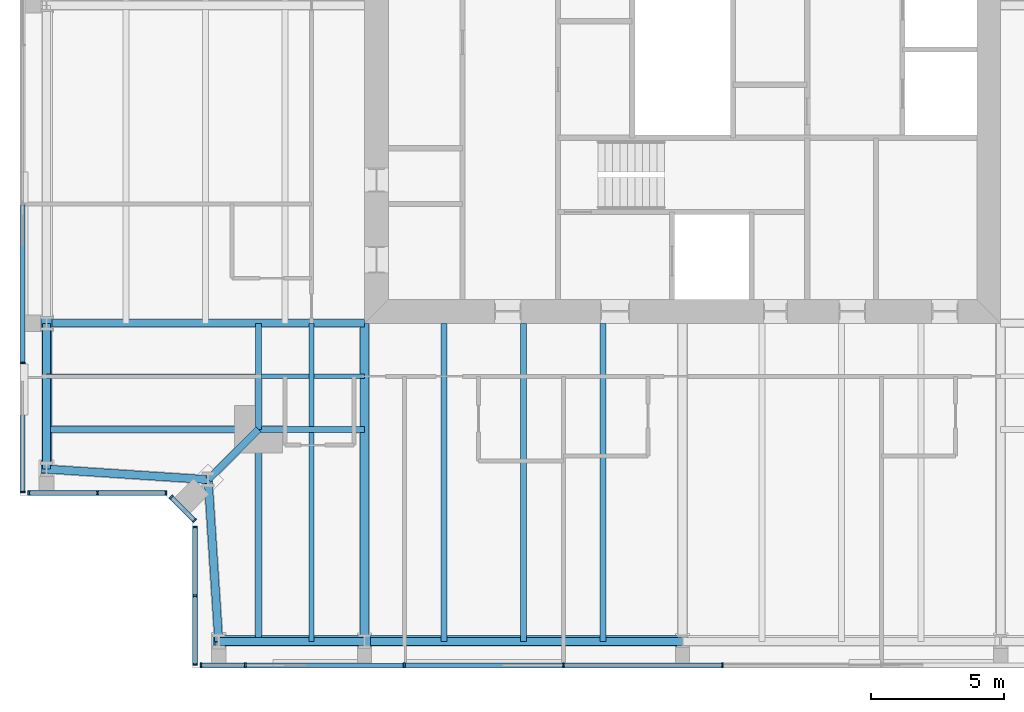
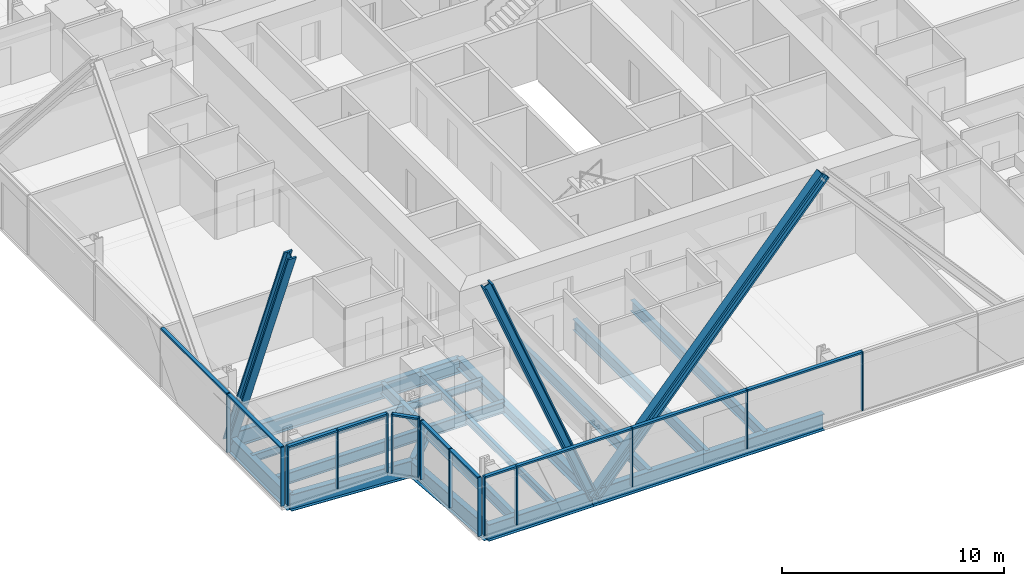
# One storey, part 2 of 18: 29 members, 20 beams, 5 elements without a shape of their own.
"""IFC4 building model written with IfcOpenShell, lengths in metres."""

from ifc_helpers import new_model, si_unit, direction, frame, origin, origin_2d, place, context, subcontext, project, spatial, rectangle, i_section, extrude, material, material_profile, profile_set, type_object, element, aggregate, save


model = new_model("IFC4")

# Units and contexts
model_context = context("Model", 3, precision=1e-05, world=origin(), true_north=direction((0.0, 1.0)))
body_context = subcontext(model_context, "Body", "Model", "MODEL_VIEW")
ifc_project = project(units=[si_unit("LENGTHUNIT", "METRE"), si_unit("AREAUNIT", "SQUARE_METRE"), si_unit("VOLUMEUNIT", "CUBIC_METRE"), si_unit("PLANEANGLEUNIT", "RADIAN"), si_unit("MASSUNIT", "GRAM", prefix="KILO")], contexts=[model_context])

# Site, building, storey
site_placement = place(None, origin())
site = spatial("IfcSite", under=ifc_project, at=site_placement, CompositionType="ELEMENT")
building_placement = place(site_placement, origin())
building = spatial("IfcBuilding", under=site, at=building_placement, Name="Fenwick Lantern Interchange", CompositionType="ELEMENT")
storey_placement = place(building_placement, frame((0.0, 0.0, 269.60009765625)))
storey = spatial("IfcBuildingStorey", under=building, at=storey_placement, Name="L64", CompositionType="ELEMENT", Elevation=269.60009765625)

# Beams
ifc_material_1 = material(Name="Steel ASTM A992 Grade 50", Category="steel")
ifc_material_profile_1 = material_profile(ifc_material_1, i_section(OverallWidth=0.3046875, OverallDepth=0.911865234375, WebThickness=0.015869140625, FlangeThickness=0.02392578125, at=origin_2d()), Name="W36X150")
ifc_profile_set_1 = profile_set([ifc_material_profile_1], Name="Steel ASTM A992 Grade 50")
beam_type_1 = type_object("IfcBeamType", Name="EDGE BEAM W36X150", PredefinedType="SPANDREL", material=ifc_profile_set_1)
beam_1_placement = place(storey_placement, frame((7.5, 1.0, -0.60595703125), z_axis=(1.0, 0.0, 0.0), x_axis=(0.0, 1.0, 0.0)))
element("IfcBeam", 1, at=beam_1_placement, inside=storey, type_object=beam_type_1, Name="L64/FR/S/EB1", PredefinedType="SPANDREL", context=body_context, shape_type="SweptSolid", body=[
    extrude(i_section(OverallWidth=0.3046875, OverallDepth=0.911865234375, WebThickness=0.015869140625, FlangeThickness=0.02392578125, at=origin_2d()), origin(), (0.0, 0.0, 1.0), 5.5),
])
beam_2_placement = place(storey_placement, frame((13.0, 1.0, -0.60595703125), z_axis=(1.0, 0.0, 0.0), x_axis=(0.0, 1.0, 0.0)))
element("IfcBeam", 2, at=beam_2_placement, inside=storey, type_object=beam_type_1, Name="L64/FR/S/EB2", PredefinedType="SPANDREL", context=body_context, shape_type="SweptSolid", body=[
    extrude(i_section(OverallWidth=0.3046875, OverallDepth=0.911865234375, WebThickness=0.015869140625, FlangeThickness=0.02392578125, at=origin_2d()), origin(), (0.0, 0.0, 1.0), 12.0),
])
beam_3_placement = place(storey_placement, frame((1.0, 13.0, -0.60595703125), z_axis=(0.0, -1.0, 0.0), x_axis=(1.0, 0.0, 0.0)))
element("IfcBeam", 3, at=beam_3_placement, inside=storey, type_object=beam_type_1, Name="L64/FR/W/EB4", PredefinedType="SPANDREL", context=body_context, shape_type="SweptSolid", body=[
    extrude(i_section(OverallWidth=0.3046875, OverallDepth=0.911865234375, WebThickness=0.015869140625, FlangeThickness=0.02392578125, at=origin_2d()), origin(), (0.0, 0.0, 1.0), 5.5),
])
for number, where, z_axis, x_axis, name in (
    (4, (1.0, 7.5, -0.60595703125), (0.997858060337, -0.065416293237, 0.0), (0.065416293237, 0.997858060337, 0.0), "L64/FR/W/EBR1"),
    (5, (7.10009765625, 7.10009765625, -0.60595703125), (0.065416293237, -0.997858060337, 0.0), (0.997858060337, 0.065416293237, 0.0), "L64/FR/W/EBR2"),
):
    element("IfcBeam", number, at=place(storey_placement, frame(where, z_axis=z_axis, x_axis=x_axis)), inside=storey, type_object=beam_type_1, Name=name, PredefinedType="SPANDREL", context=body_context, shape_type="SweptSolid", body=[
        extrude(i_section(OverallWidth=0.3046875, OverallDepth=0.911865234375, WebThickness=0.015869140625, FlangeThickness=0.02392578125, at=origin_2d()), origin(), (0.0, 0.0, 1.0), 6.11328125),
    ])

# Members
ifc_material_profile_2 = material_profile(ifc_material_1, i_section(OverallWidth=0.424072265625, OverallDepth=0.47509765625, WebThickness=0.0478515625, FlangeThickness=0.0771484375, at=origin_2d()), Name="W14X426")
ifc_profile_set_2 = profile_set([ifc_material_profile_2], Name="Steel ASTM A992 Grade 50")
member_type_1 = type_object("IfcMemberType", Name="FACADE BRACE W14X426", PredefinedType="BRACE", material=ifc_profile_set_2)
for number, where, z_axis, x_axis, name in (
    (6, (13.0, 1.0, -0.60595703125), (-0.37491730453, 0.0, 0.92705825856), (0.0, -1.0, 0.0), "L64/FB/S/AE"),
    (7, (1.0, 13.0, -0.60595703125), (0.0, -0.37491730453, 0.92705825856), (1.0, 0.0, 0.0), "L64/FB/W/BE"),
):
    element("IfcMember", number, at=place(storey_placement, frame(where, z_axis=z_axis, x_axis=x_axis)), inside=storey, type_object=member_type_1, Name=name, PredefinedType="BRACE", context=body_context, shape_type="SweptSolid", body=[
        extrude(i_section(OverallWidth=0.424072265625, OverallDepth=0.47509765625, WebThickness=0.0478515625, FlangeThickness=0.0771484375, at=origin_2d()), origin(), (0.0, 0.0, 1.0), 14.669921875),
    ])
ifc_material_profile_3 = material_profile(ifc_material_1, i_section(OverallWidth=0.44189453125, OverallDepth=0.53076171875, WebThickness=0.06591796875, FlangeThickness=0.105712890625, at=origin_2d()), Name="W14X605")
ifc_profile_set_3 = profile_set([ifc_material_profile_3], Name="Steel ASTM A992 Grade 50")
member_type_2 = type_object("IfcMemberType", Name="FACADE BRACE W14X605", PredefinedType="BRACE", material=ifc_profile_set_3)
member_1_placement = place(storey_placement, frame((13.0, 1.0, -0.60595703125), z_axis=(0.661625643894, 0.0, 0.749834319928), x_axis=(0.0, 1.0, 0.0)))
element("IfcMember", 8, at=member_1_placement, inside=storey, type_object=member_type_2, Name="L64/FB/S/A", PredefinedType="BRACE", context=body_context, shape_type="SweptSolid", body=[
    extrude(i_section(OverallWidth=0.44189453125, OverallDepth=0.53076171875, WebThickness=0.06591796875, FlangeThickness=0.105712890625, at=origin_2d()), origin(), (0.0, 0.0, 1.0), 18.13720703125),
])

# Beams
ifc_material_profile_4 = material_profile(ifc_material_1, i_section(OverallWidth=0.22900390625, OverallDepth=0.612060546875, WebThickness=0.011962890625, FlangeThickness=0.01953125, at=origin_2d()), Name="W24X84")
ifc_profile_set_4 = profile_set([ifc_material_profile_4], Name="Steel ASTM A992 Grade 50")
beam_type_2 = type_object("IfcBeamType", Name="FLOOR BEAM W24X84", PredefinedType="BEAM", material=ifc_profile_set_4)
for number, where, z_axis, x_axis, name in (
    (9, (16.0, 1.0, -0.4560546875), (0.0, 1.0, 0.0), (-1.0, 0.0, 0.0), "L64/FR/S/R02"),
    (10, (19.0, 1.0, -0.4560546875), (0.0, 1.0, 0.0), (-1.0, 0.0, 0.0), "L64/FR/S/R03"),
    (11, (22.0, 1.0, -0.4560546875), (0.0, 1.0, 0.0), (-1.0, 0.0, 0.0), "L64/FR/S/R04"),
):
    element("IfcBeam", number, at=place(storey_placement, frame(where, z_axis=z_axis, x_axis=x_axis)), inside=storey, type_object=beam_type_2, Name=name, PredefinedType="BEAM", context=body_context, shape_type="SweptSolid", body=[
        extrude(i_section(OverallWidth=0.22900390625, OverallDepth=0.612060546875, WebThickness=0.011962890625, FlangeThickness=0.01953125, at=origin_2d()), origin(), (0.0, 0.0, 1.0), 12.0),
    ])

# Curtain wall, members
ifc_material_2 = material(Name="Aluminium curtain wall frame", Category="aluminium")
curtain_wall_type = type_object("IfcCurtainWallType", Name="HOTEL CURTAIN WALL", PredefinedType="USERDEFINED", material=ifc_material_2)
curtain_wall_1_placement = place(storey_placement, origin())
curtain_wall_1 = element("IfcCurtainWall", 12, at=curtain_wall_1_placement, inside=storey, type_object=curtain_wall_type, Name="Hotel curtain wall 01", ObjectType="HOTEL CURTAIN WALL", PredefinedType="USERDEFINED")
ifc_material_3 = material(Name="Aluminium extrusion", Category="aluminium")
ifc_material_profile_5 = material_profile(ifc_material_3, rectangle(XDim=0.179931640625, YDim=0.06005859375, at=origin_2d()), Name="HOTEL CURTAIN WALL MULLION 60 X 180")
ifc_profile_set_5 = profile_set([ifc_material_profile_5], Name="Aluminium extrusion")
member_type_3 = type_object("IfcMemberType", Name="HOTEL CURTAIN WALL MULLION 60 X 180", PredefinedType="MULLION", material=ifc_profile_set_5)
member_2_placement = place(storey_placement, frame((6.830078125, 0.10009765625, 0.0), z_axis=(0.0, 0.0, 1.0), x_axis=(0.0, 1.0, 0.0)))
member_2 = element("IfcMember", 13, at=member_2_placement, type_object=member_type_3, Name="L64/CW/01/M00", PredefinedType="MULLION", context=body_context, shape_type="SweptSolid", body=[
    extrude(rectangle(XDim=0.179931640625, YDim=0.06005859375, at=origin_2d()), origin(), (0.0, 0.0, 1.0), 3.25),
])
member_3_placement = place(storey_placement, frame((8.5, 0.10009765625, 0.0), z_axis=(0.0, 0.0, 1.0), x_axis=(0.0, 1.0, 0.0)))
member_3 = element("IfcMember", 14, at=member_3_placement, type_object=member_type_3, Name="L64/CW/01/M01", PredefinedType="MULLION", context=body_context, shape_type="SweptSolid", body=[
    extrude(rectangle(XDim=0.179931640625, YDim=0.06005859375, at=origin_2d()), origin(), (0.0, 0.0, 1.0), 3.25),
])
member_4_placement = place(storey_placement, frame((14.5, 0.10009765625, 0.0), z_axis=(0.0, 0.0, 1.0), x_axis=(0.0, 1.0, 0.0)))
member_4 = element("IfcMember", 15, at=member_4_placement, type_object=member_type_3, Name="L64/CW/01/M02", PredefinedType="MULLION", context=body_context, shape_type="SweptSolid", body=[
    extrude(rectangle(XDim=0.179931640625, YDim=0.06005859375, at=origin_2d()), origin(), (0.0, 0.0, 1.0), 3.25),
])
member_5_placement = place(storey_placement, frame((20.5, 0.10009765625, 0.0), z_axis=(0.0, 0.0, 1.0), x_axis=(0.0, 1.0, 0.0)))
member_5 = element("IfcMember", 16, at=member_5_placement, type_object=member_type_3, Name="L64/CW/01/M03", PredefinedType="MULLION", context=body_context, shape_type="SweptSolid", body=[
    extrude(rectangle(XDim=0.179931640625, YDim=0.06005859375, at=origin_2d()), origin(), (0.0, 0.0, 1.0), 3.25),
])
member_6_placement = place(storey_placement, frame((26.5, 0.10009765625, 0.0), z_axis=(0.0, 0.0, 1.0), x_axis=(0.0, 1.0, 0.0)))
member_6 = element("IfcMember", 17, at=member_6_placement, type_object=member_type_3, Name="L64/CW/01/M04", PredefinedType="MULLION", context=body_context, shape_type="SweptSolid", body=[
    extrude(rectangle(XDim=0.179931640625, YDim=0.06005859375, at=origin_2d()), origin(), (0.0, 0.0, 1.0), 3.25),
])

curtain_wall_2_placement = place(storey_placement, origin())
curtain_wall_2 = element("IfcCurtainWall", 18, at=curtain_wall_2_placement, inside=storey, type_object=curtain_wall_type, Name="Hotel curtain wall 13", ObjectType="HOTEL CURTAIN WALL", PredefinedType="USERDEFINED")
member_7_placement = place(storey_placement, frame((0.10009765625, 11.5, 0.0), z_axis=(0.0, 0.0, 1.0), x_axis=(1.0, 0.0, 0.0)))
member_7 = element("IfcMember", 19, at=member_7_placement, type_object=member_type_3, Name="L64/CW/13/M06", PredefinedType="MULLION", context=body_context, shape_type="SweptSolid", body=[
    extrude(rectangle(XDim=0.179931640625, YDim=0.06005859375, at=origin_2d()), origin(), (0.0, 0.0, 1.0), 3.25),
])
member_8_placement = place(storey_placement, frame((0.10009765625, 6.6298828125, 0.0), z_axis=(0.0, 0.0, 1.0), x_axis=(1.0, 0.0, 0.0)))
member_8 = element("IfcMember", 20, at=member_8_placement, type_object=member_type_3, Name="L64/CW/13/M07", PredefinedType="MULLION", context=body_context, shape_type="SweptSolid", body=[
    extrude(rectangle(XDim=0.179931640625, YDim=0.06005859375, at=origin_2d()), origin(), (0.0, 0.0, 1.0), 3.25),
])

curtain_wall_3_placement = place(storey_placement, origin())
curtain_wall_3 = element("IfcCurtainWall", 21, at=curtain_wall_3_placement, inside=storey, type_object=curtain_wall_type, Name="Hotel curtain wall 14", ObjectType="HOTEL CURTAIN WALL", PredefinedType="USERDEFINED")
member_9_placement = place(storey_placement, frame((0.330078125, 6.60009765625, 0.0), z_axis=(0.0, 0.0, 1.0), x_axis=(0.0, 1.0, 0.0)))
member_9 = element("IfcMember", 22, at=member_9_placement, type_object=member_type_3, Name="L64/CW/14/M00", PredefinedType="MULLION", context=body_context, shape_type="SweptSolid", body=[
    extrude(rectangle(XDim=0.179931640625, YDim=0.06005859375, at=origin_2d()), origin(), (0.0, 0.0, 1.0), 3.25),
])
member_10_placement = place(storey_placement, frame((2.920654296875, 6.60009765625, 0.0), z_axis=(0.0, 0.0, 1.0), x_axis=(0.0, 1.0, 0.0)))
member_10 = element("IfcMember", 23, at=member_10_placement, type_object=member_type_3, Name="L64/CW/14/M01", PredefinedType="MULLION", context=body_context, shape_type="SweptSolid", body=[
    extrude(rectangle(XDim=0.179931640625, YDim=0.06005859375, at=origin_2d()), origin(), (0.0, 0.0, 1.0), 3.25),
])
member_11_placement = place(storey_placement, frame((5.511474609375, 6.60009765625, 0.0), z_axis=(0.0, 0.0, 1.0), x_axis=(0.0, 1.0, 0.0)))
member_11 = element("IfcMember", 24, at=member_11_placement, type_object=member_type_3, Name="L64/CW/14/M02", PredefinedType="MULLION", context=body_context, shape_type="SweptSolid", body=[
    extrude(rectangle(XDim=0.179931640625, YDim=0.06005859375, at=origin_2d()), origin(), (0.0, 0.0, 1.0), 3.25),
])

curtain_wall_4_placement = place(storey_placement, origin())
curtain_wall_4 = element("IfcCurtainWall", 25, at=curtain_wall_4_placement, inside=storey, type_object=curtain_wall_type, Name="Hotel curtain wall 15", ObjectType="HOTEL CURTAIN WALL", PredefinedType="USERDEFINED")
member_12_placement = place(storey_placement, frame((5.7041015625, 6.437255859375, 0.0), z_axis=(0.0, 0.0, 1.0), x_axis=(0.707106781187, 0.707106781187, 0.0)))
member_12 = element("IfcMember", 26, at=member_12_placement, type_object=member_type_3, Name="L64/CW/15/M00", PredefinedType="MULLION", context=body_context, shape_type="SweptSolid", body=[
    extrude(rectangle(XDim=0.179931640625, YDim=0.06005859375, at=origin_2d()), origin(), (0.0, 0.0, 1.0), 3.25),
])
member_13_placement = place(storey_placement, frame((6.578857421875, 5.562744140625, 0.0), z_axis=(0.0, 0.0, 1.0), x_axis=(0.707106781187, 0.707106781187, 0.0)))
member_13 = element("IfcMember", 27, at=member_13_placement, type_object=member_type_3, Name="L64/CW/15/M01", PredefinedType="MULLION", context=body_context, shape_type="SweptSolid", body=[
    extrude(rectangle(XDim=0.179931640625, YDim=0.06005859375, at=origin_2d()), origin(), (0.0, 0.0, 1.0), 3.25),
])

curtain_wall_5_placement = place(storey_placement, origin())
curtain_wall_5 = element("IfcCurtainWall", 28, at=curtain_wall_5_placement, inside=storey, type_object=curtain_wall_type, Name="Hotel curtain wall 16", ObjectType="HOTEL CURTAIN WALL", PredefinedType="USERDEFINED")
member_14_placement = place(storey_placement, frame((6.60009765625, 5.3115234375, 0.0), z_axis=(0.0, 0.0, 1.0), x_axis=(1.0, 0.0, 0.0)))
member_14 = element("IfcMember", 29, at=member_14_placement, type_object=member_type_3, Name="L64/CW/16/M00", PredefinedType="MULLION", context=body_context, shape_type="SweptSolid", body=[
    extrude(rectangle(XDim=0.179931640625, YDim=0.06005859375, at=origin_2d()), origin(), (0.0, 0.0, 1.0), 3.25),
])
member_15_placement = place(storey_placement, frame((6.60009765625, 2.720703125, 0.0), z_axis=(0.0, 0.0, 1.0), x_axis=(1.0, 0.0, 0.0)))
member_15 = element("IfcMember", 30, at=member_15_placement, type_object=member_type_3, Name="L64/CW/16/M01", PredefinedType="MULLION", context=body_context, shape_type="SweptSolid", body=[
    extrude(rectangle(XDim=0.179931640625, YDim=0.06005859375, at=origin_2d()), origin(), (0.0, 0.0, 1.0), 3.25),
])
member_16_placement = place(storey_placement, frame((6.60009765625, 0.1298828125, 0.0), z_axis=(0.0, 0.0, 1.0), x_axis=(1.0, 0.0, 0.0)))
member_16 = element("IfcMember", 31, at=member_16_placement, type_object=member_type_3, Name="L64/CW/16/M02", PredefinedType="MULLION", context=body_context, shape_type="SweptSolid", body=[
    extrude(rectangle(XDim=0.179931640625, YDim=0.06005859375, at=origin_2d()), origin(), (0.0, 0.0, 1.0), 3.25),
])

# Member
ifc_material_profile_6 = material_profile(ifc_material_3, rectangle(XDim=0.179931640625, YDim=0.10009765625, at=origin_2d()), Name="HOTEL CURTAIN WALL TRANSOM 100 X 180")
ifc_profile_set_6 = profile_set([ifc_material_profile_6], Name="Aluminium extrusion")
member_type_4 = type_object("IfcMemberType", Name="HOTEL CURTAIN WALL TRANSOM 100 X 180", PredefinedType="MULLION", material=ifc_profile_set_6)
member_17_placement = place(storey_placement, frame((6.860107421875, 0.10009765625, 3.199951171875), z_axis=(1.0, 0.0, 0.0), x_axis=(0.0, 1.0, 0.0)))
member_17 = element("IfcMember", 32, at=member_17_placement, type_object=member_type_4, Name="L64/CW/01/T00", PredefinedType="MULLION", context=body_context, shape_type="SweptSolid", body=[
    extrude(rectangle(XDim=0.179931640625, YDim=0.10009765625, at=origin_2d()), origin(), (0.0, 0.0, 1.0), 1.60986328125),
])

member_18_placement = place(storey_placement, frame((8.530029296875, 0.10009765625, 3.199951171875), z_axis=(1.0, 0.0, 0.0), x_axis=(0.0, 1.0, 0.0)))
member_18 = element("IfcMember", 33, at=member_18_placement, type_object=member_type_4, Name="L64/CW/01/T01", PredefinedType="MULLION", context=body_context, shape_type="SweptSolid", body=[
    extrude(rectangle(XDim=0.179931640625, YDim=0.10009765625, at=origin_2d()), origin(), (0.0, 0.0, 1.0), 5.93994140625),
])

member_19_placement = place(storey_placement, frame((14.530029296875, 0.10009765625, 3.199951171875), z_axis=(1.0, 0.0, 0.0), x_axis=(0.0, 1.0, 0.0)))
member_19 = element("IfcMember", 34, at=member_19_placement, type_object=member_type_4, Name="L64/CW/01/T02", PredefinedType="MULLION", context=body_context, shape_type="SweptSolid", body=[
    extrude(rectangle(XDim=0.179931640625, YDim=0.10009765625, at=origin_2d()), origin(), (0.0, 0.0, 1.0), 5.93994140625),
])

member_20_placement = place(storey_placement, frame((20.530029296875, 0.10009765625, 3.199951171875), z_axis=(1.0, 0.0, 0.0), x_axis=(0.0, 1.0, 0.0)))
member_20 = element("IfcMember", 35, at=member_20_placement, type_object=member_type_4, Name="L64/CW/01/T03", PredefinedType="MULLION", context=body_context, shape_type="SweptSolid", body=[
    extrude(rectangle(XDim=0.179931640625, YDim=0.10009765625, at=origin_2d()), origin(), (0.0, 0.0, 1.0), 5.93994140625),
])

aggregate(curtain_wall_1, [member_2, member_3, member_4, member_5, member_6, member_17, member_18, member_19, member_20])

member_21_placement = place(storey_placement, frame((0.10009765625, 17.469970703125, 3.199951171875), z_axis=(0.0, -1.0, 0.0), x_axis=(1.0, 0.0, 0.0)))
member_21 = element("IfcMember", 36, at=member_21_placement, type_object=member_type_4, Name="L64/CW/13/T05", PredefinedType="MULLION", context=body_context, shape_type="SweptSolid", body=[
    extrude(rectangle(XDim=0.179931640625, YDim=0.10009765625, at=origin_2d()), origin(), (0.0, 0.0, 1.0), 5.93994140625),
])

member_22_placement = place(storey_placement, frame((0.10009765625, 11.469970703125, 3.199951171875), z_axis=(0.0, -1.0, 0.0), x_axis=(1.0, 0.0, 0.0)))
member_22 = element("IfcMember", 37, at=member_22_placement, type_object=member_type_4, Name="L64/CW/13/T06", PredefinedType="MULLION", context=body_context, shape_type="SweptSolid", body=[
    extrude(rectangle(XDim=0.179931640625, YDim=0.10009765625, at=origin_2d()), origin(), (0.0, 0.0, 1.0), 4.81005859375),
])

aggregate(curtain_wall_2, [member_7, member_8, member_21, member_22])

member_23_placement = place(storey_placement, frame((0.360107421875, 6.60009765625, 3.199951171875), z_axis=(1.0, 0.0, 0.0), x_axis=(0.0, 1.0, 0.0)))
member_23 = element("IfcMember", 38, at=member_23_placement, type_object=member_type_4, Name="L64/CW/14/T00", PredefinedType="MULLION", context=body_context, shape_type="SweptSolid", body=[
    extrude(rectangle(XDim=0.179931640625, YDim=0.10009765625, at=origin_2d()), origin(), (0.0, 0.0, 1.0), 2.530517578125),
])

member_24_placement = place(storey_placement, frame((2.95068359375, 6.60009765625, 3.199951171875), z_axis=(1.0, 0.0, 0.0), x_axis=(0.0, 1.0, 0.0)))
member_24 = element("IfcMember", 39, at=member_24_placement, type_object=member_type_4, Name="L64/CW/14/T01", PredefinedType="MULLION", context=body_context, shape_type="SweptSolid", body=[
    extrude(rectangle(XDim=0.179931640625, YDim=0.10009765625, at=origin_2d()), origin(), (0.0, 0.0, 1.0), 2.53076171875),
])

aggregate(curtain_wall_3, [member_9, member_10, member_11, member_23, member_24])

member_25_placement = place(storey_placement, frame((5.725341796875, 6.416259765625, 3.199951171875), z_axis=(0.707003077033, -0.707210470133, 0.0), x_axis=(0.707210470133, 0.707003077033, 0.0)))
member_25 = element("IfcMember", 40, at=member_25_placement, type_object=member_type_4, Name="L64/CW/15/T00", PredefinedType="MULLION", context=body_context, shape_type="SweptSolid", body=[
    extrude(rectangle(XDim=0.179931640625, YDim=0.10009765625, at=origin_2d()), origin(), (0.0, 0.0, 1.0), 1.17724609375),
])

aggregate(curtain_wall_4, [member_12, member_13, member_25])

member_26_placement = place(storey_placement, frame((6.60009765625, 5.281494140625, 3.199951171875), z_axis=(0.0, -1.0, 0.0), x_axis=(1.0, 0.0, 0.0)))
member_26 = element("IfcMember", 41, at=member_26_placement, type_object=member_type_4, Name="L64/CW/16/T00", PredefinedType="MULLION", context=body_context, shape_type="SweptSolid", body=[
    extrude(rectangle(XDim=0.179931640625, YDim=0.10009765625, at=origin_2d()), origin(), (0.0, 0.0, 1.0), 2.53076171875),
])

member_27_placement = place(storey_placement, frame((6.60009765625, 2.690673828125, 3.199951171875), z_axis=(0.0, -1.0, 0.0), x_axis=(1.0, 0.0, 0.0)))
member_27 = element("IfcMember", 42, at=member_27_placement, type_object=member_type_4, Name="L64/CW/16/T01", PredefinedType="MULLION", context=body_context, shape_type="SweptSolid", body=[
    extrude(rectangle(XDim=0.179931640625, YDim=0.10009765625, at=origin_2d()), origin(), (0.0, 0.0, 1.0), 2.53076171875),
])

aggregate(curtain_wall_5, [member_14, member_15, member_16, member_26, member_27])

# Beams
ifc_material_profile_7 = material_profile(ifc_material_1, i_section(OverallWidth=0.177734375, OverallDepth=0.406494140625, WebThickness=0.0078125, FlangeThickness=0.012939453125, at=origin_2d()), Name="W16X40")
ifc_profile_set_7 = profile_set([ifc_material_profile_7], Name="Steel ASTM A992 Grade 50")
beam_type_3 = type_object("IfcBeamType", Name="INFILL BEAM W16X40", PredefinedType="JOIST", material=ifc_profile_set_7)
beam_4_placement = place(storey_placement, frame((11.0, 1.0, -0.353271484375), z_axis=(0.0, 1.0, 0.0), x_axis=(-1.0, 0.0, 0.0)))
element("IfcBeam", 43, at=beam_4_placement, inside=storey, type_object=beam_type_3, Name="L64/FR/S/J1", PredefinedType="JOIST", context=body_context, shape_type="SweptSolid", body=[
    extrude(i_section(OverallWidth=0.177734375, OverallDepth=0.406494140625, WebThickness=0.0078125, FlangeThickness=0.012939453125, at=origin_2d()), origin(), (0.0, 0.0, 1.0), 7.885498046875),
])
beam_5_placement = place(storey_placement, frame((11.0, 9.114501953125, -0.353271484375), z_axis=(0.0, 1.0, 0.0), x_axis=(-1.0, 0.0, 0.0)))
element("IfcBeam", 44, at=beam_5_placement, inside=storey, type_object=beam_type_3, Name="L64/FR/S/J2", PredefinedType="JOIST", context=body_context, shape_type="SweptSolid", body=[
    extrude(i_section(OverallWidth=0.177734375, OverallDepth=0.406494140625, WebThickness=0.0078125, FlangeThickness=0.012939453125, at=origin_2d()), origin(), (0.0, 0.0, 1.0), 3.885498046875),
])
beam_6_placement = place(storey_placement, frame((1.0, 11.0, -0.353271484375), z_axis=(1.0, 0.0, 0.0), x_axis=(0.0, 1.0, 0.0)))
element("IfcBeam", 45, at=beam_6_placement, inside=storey, type_object=beam_type_3, Name="L64/FR/S/J3", PredefinedType="JOIST", context=body_context, shape_type="SweptSolid", body=[
    extrude(i_section(OverallWidth=0.177734375, OverallDepth=0.406494140625, WebThickness=0.0078125, FlangeThickness=0.012939453125, at=origin_2d()), origin(), (0.0, 0.0, 1.0), 7.885498046875),
])
beam_7_placement = place(storey_placement, frame((9.114501953125, 11.0, -0.353271484375), z_axis=(1.0, 0.0, 0.0), x_axis=(0.0, 1.0, 0.0)))
element("IfcBeam", 46, at=beam_7_placement, inside=storey, type_object=beam_type_3, Name="L64/FR/S/J4", PredefinedType="JOIST", context=body_context, shape_type="SweptSolid", body=[
    extrude(i_section(OverallWidth=0.177734375, OverallDepth=0.406494140625, WebThickness=0.0078125, FlangeThickness=0.012939453125, at=origin_2d()), origin(), (0.0, 0.0, 1.0), 1.796630859375),
])
beam_8_placement = place(storey_placement, frame((11.0888671875, 11.0, -0.353271484375), z_axis=(1.0, 0.0, 0.0), x_axis=(0.0, 1.0, 0.0)))
element("IfcBeam", 47, at=beam_8_placement, inside=storey, type_object=beam_type_3, Name="L64/FR/S/J5", PredefinedType="JOIST", context=body_context, shape_type="SweptSolid", body=[
    extrude(i_section(OverallWidth=0.177734375, OverallDepth=0.406494140625, WebThickness=0.0078125, FlangeThickness=0.012939453125, at=origin_2d()), origin(), (0.0, 0.0, 1.0), 1.9111328125),
])
ifc_material_profile_8 = material_profile(ifc_material_1, i_section(OverallWidth=0.22900390625, OverallDepth=0.612060546875, WebThickness=0.011962890625, FlangeThickness=0.01953125, at=origin_2d()), Name="W24X84")
ifc_profile_set_8 = profile_set([ifc_material_profile_8], Name="Steel ASTM A992 Grade 50")
beam_type_4 = type_object("IfcBeamType", Name="MEGA COLUMN BEAM W24X84", PredefinedType="BEAM", material=ifc_profile_set_8)
for number, where, z_axis, x_axis, name in (
    (48, (9.0, 9.0, -0.4560546875), (0.0, -1.0, 0.0), (1.0, 0.0, 0.0), "L64/FR/S/MB1"),
    (49, (9.0, 9.0, -0.4560546875), (-1.0, 0.0, 0.0), (0.0, -1.0, 0.0), "L64/FR/S/MB2"),
):
    element("IfcBeam", number, at=place(storey_placement, frame(where, z_axis=z_axis, x_axis=x_axis)), inside=storey, type_object=beam_type_4, Name=name, PredefinedType="BEAM", context=body_context, shape_type="SweptSolid", body=[
        extrude(i_section(OverallWidth=0.22900390625, OverallDepth=0.612060546875, WebThickness=0.011962890625, FlangeThickness=0.01953125, at=origin_2d()), origin(), (0.0, 0.0, 1.0), 8.0),
    ])
for number, where, z_axis, x_axis, name in (
    (50, (9.0, 9.0, -0.4560546875), (1.0, 0.0, 0.0), (0.0, 1.0, 0.0), "L64/FR/S/MB3"),
    (51, (9.0, 9.0, -0.4560546875), (0.0, 1.0, 0.0), (-1.0, 0.0, 0.0), "L64/FR/S/MB4"),
):
    element("IfcBeam", number, at=place(storey_placement, frame(where, z_axis=z_axis, x_axis=x_axis)), inside=storey, type_object=beam_type_4, Name=name, PredefinedType="BEAM", context=body_context, shape_type="SweptSolid", body=[
        extrude(i_section(OverallWidth=0.22900390625, OverallDepth=0.612060546875, WebThickness=0.011962890625, FlangeThickness=0.01953125, at=origin_2d()), origin(), (0.0, 0.0, 1.0), 4.0),
    ])
ifc_material_profile_9 = material_profile(ifc_material_1, i_section(OverallWidth=0.32763671875, OverallDepth=0.622314453125, WebThickness=0.015380859375, FlangeThickness=0.0244140625, at=origin_2d()), Name="W24X131")
ifc_profile_set_9 = profile_set([ifc_material_profile_9], Name="Steel ASTM A992 Grade 50")
beam_type_5 = type_object("IfcBeamType", Name="MOMENT-CONNECTED GIRDER W24X131", PredefinedType="BEAM", material=ifc_profile_set_9)
beam_9_placement = place(storey_placement, frame((13.0, 1.0, -0.461181640625), z_axis=(0.0, 1.0, 0.0), x_axis=(-1.0, 0.0, 0.0)))
element("IfcBeam", 52, at=beam_9_placement, inside=storey, type_object=beam_type_5, Name="L64/FR/S/R01", PredefinedType="BEAM", context=body_context, shape_type="SweptSolid", body=[
    extrude(i_section(OverallWidth=0.32763671875, OverallDepth=0.622314453125, WebThickness=0.015380859375, FlangeThickness=0.0244140625, at=origin_2d()), origin(), (0.0, 0.0, 1.0), 12.0),
])
ifc_material_profile_10 = material_profile(ifc_material_1, i_section(OverallWidth=0.2919921875, OverallDepth=0.845703125, WebThickness=0.015380859375, FlangeThickness=0.0244140625, at=origin_2d()), Name="W33X141")
ifc_profile_set_10 = profile_set([ifc_material_profile_10], Name="Steel ASTM A992 Grade 50")
beam_type_6 = type_object("IfcBeamType", Name="MOMENT-CONNECTED GIRDER W33X141", PredefinedType="BEAM", material=ifc_profile_set_10)
beam_10_placement = place(storey_placement, frame((1.0, 13.0, -0.572998046875), z_axis=(1.0, 0.0, 0.0), x_axis=(0.0, 1.0, 0.0)))
element("IfcBeam", 53, at=beam_10_placement, inside=storey, type_object=beam_type_6, Name="L64/FR/W/R03", PredefinedType="BEAM", context=body_context, shape_type="SweptSolid", body=[
    extrude(i_section(OverallWidth=0.2919921875, OverallDepth=0.845703125, WebThickness=0.015380859375, FlangeThickness=0.0244140625, at=origin_2d()), origin(), (0.0, 0.0, 1.0), 12.0),
])
ifc_material_profile_11 = material_profile(ifc_material_1, i_section(OverallWidth=0.2666015625, OverallDepth=0.7568359375, WebThickness=0.013916015625, FlangeThickness=0.019287109375, at=origin_2d()), Name="W30X108")
ifc_profile_set_11 = profile_set([ifc_material_profile_11], Name="Steel ASTM A992 Grade 50")
beam_type_7 = type_object("IfcBeamType", Name="NOTCH BEAM W30X108", PredefinedType="BEAM", material=ifc_profile_set_11)
beam_11_placement = place(storey_placement, frame((9.0, 9.0, -0.528564453125), z_axis=(-0.707106781187, -0.707106781187, 0.0), x_axis=(0.707106781187, -0.707106781187, 0.0)))
element("IfcBeam", 54, at=beam_11_placement, inside=storey, type_object=beam_type_7, Name="L64/FR/S/TG", PredefinedType="BEAM", context=body_context, shape_type="SweptSolid", body=[
    extrude(i_section(OverallWidth=0.2666015625, OverallDepth=0.7568359375, WebThickness=0.013916015625, FlangeThickness=0.019287109375, at=origin_2d()), origin(), (0.0, 0.0, 1.0), 2.686767578125),
])

save(model, "model.ifc")
